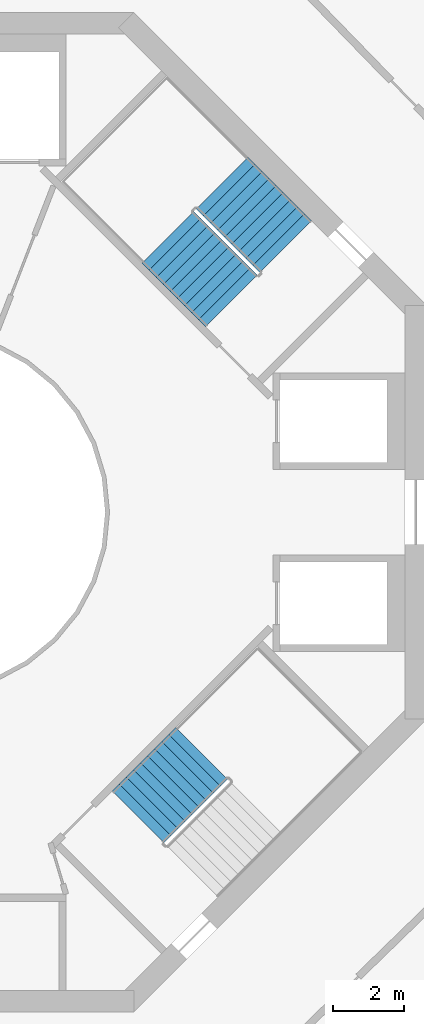
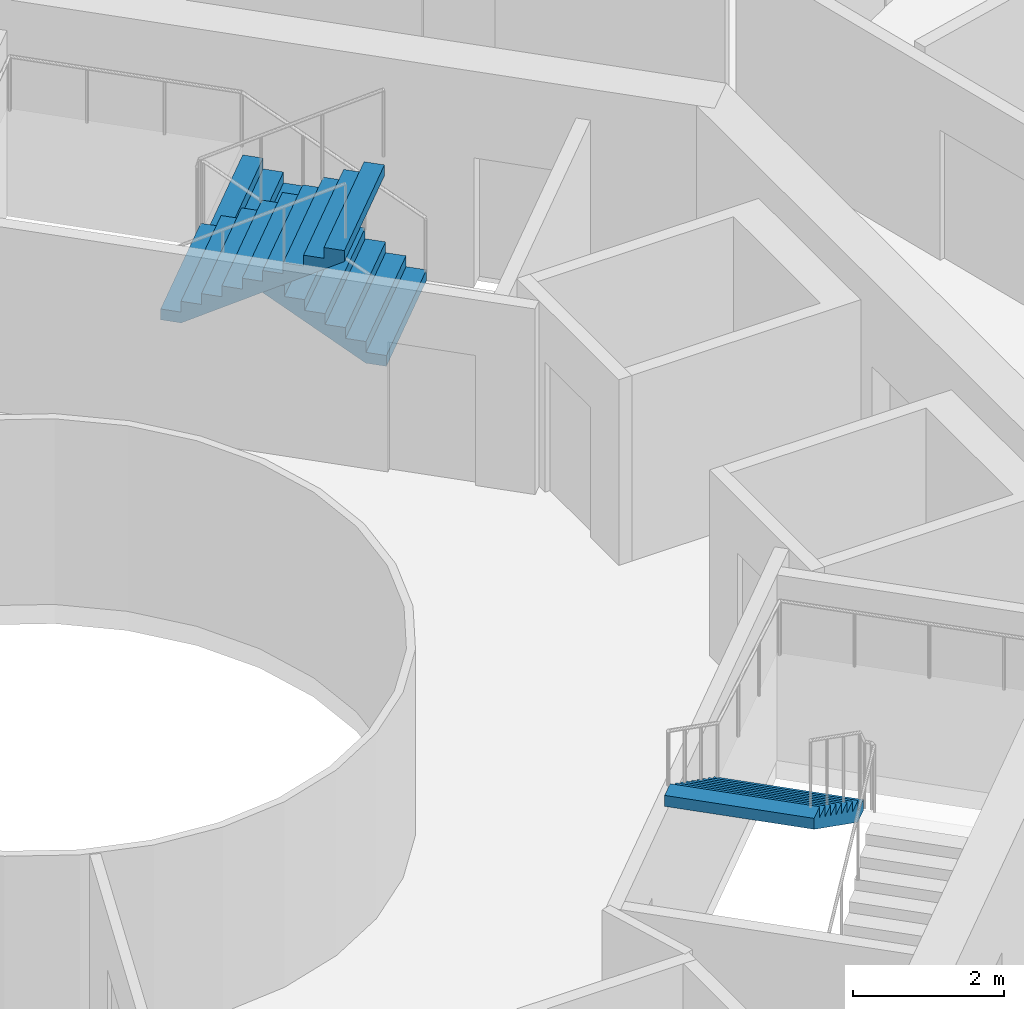
# One storey, part 23 of 24: 3 stair flights, 2 elements without a shape of their own.
"""IFC4 building model written with IfcOpenShell, lengths in metres."""

from ifc_helpers import new_model, si_unit, direction, frame, origin, place, context, subcontext, project, spatial, triangles, material, type_object, element, aggregate, save


model = new_model("IFC4")

# Units and contexts
model_context = context("Model", 3, precision=1e-05, world=origin(), true_north=direction((0.0, 1.0)))
body_context = subcontext(model_context, "Body", "Model", "MODEL_VIEW")
ifc_project = project(units=[si_unit("LENGTHUNIT", "METRE"), si_unit("AREAUNIT", "SQUARE_METRE"), si_unit("VOLUMEUNIT", "CUBIC_METRE"), si_unit("PLANEANGLEUNIT", "RADIAN"), si_unit("MASSUNIT", "GRAM", prefix="KILO")], contexts=[model_context])

# Site, building, storey
site_placement = place(None, origin())
site = spatial("IfcSite", under=ifc_project, at=site_placement, CompositionType="ELEMENT")
building_placement = place(site_placement, origin())
building = spatial("IfcBuilding", under=site, at=building_placement, Name="Verdalira Terraces Hotel", CompositionType="ELEMENT")
storey_placement = place(building_placement, frame((0.0, 0.0, 212.5)))
storey = spatial("IfcBuildingStorey", under=building, at=storey_placement, Name="L52", CompositionType="ELEMENT", Elevation=212.5)

# Stair, stair flights
ifc_material_1 = material(Name="Concrete C40", Category="concrete")
stair_type = type_object("IfcStairType", Name="Core stair 20 risers 2050 mm wide", PredefinedType="HALF_TURN_STAIR", material=ifc_material_1)
stair_1_placement = place(storey_placement, origin())
stair_1 = element("IfcStair", 1, at=stair_1_placement, inside=storey, type_object=stair_type, Name="L52 Exit stair ST1", PredefinedType="HALF_TURN_STAIR")
ifc_material_2 = material(Name="Concrete C40", Category="concrete")
stair_flight_type = type_object("IfcStairFlightType", Name="Core stair flight 20 risers 2050 mm wide", PredefinedType="STRAIGHT", material=ifc_material_2)
stair_flight_1_placement = place(storey_placement, frame((10.058594, 7.442383, 0.0), z_axis=(0.0, 0.0, 1.0), x_axis=(-0.707106781, 0.707106781, 0.0)))
stair_flight_1 = element("IfcStairFlight", 2, at=stair_flight_1_placement, type_object=stair_flight_type, Name="ST1 flight 1", NumberOfRisers=10, NumberOfTreads=9, PredefinedType="STRAIGHT", RiserHeight=0.175, TreadLength=0.28, context=body_context, shape_type="Tessellation", body=[
    triangles([(0.0, 1.025024, 0.0), (0.282715, 1.025024, 0.0), (2.52002, 1.025024, 1.398193), (0.0, -1.025024, 0.0), (0.282715, -1.025024, 0.0), (2.52002, -1.025024, 1.398193), (2.52002, 1.025024, 1.574951), (2.23999, 1.025024, 1.574951), (2.52002, -1.025024, 1.574951), (2.23999, -1.025024, 1.574951), (2.23999, 1.025024, 1.399902), (2.23999, -1.025024, 1.399902), (1.959961, 1.025024, 1.399902), (1.959961, -1.025024, 1.399902), (1.959961, 1.025024, 1.225098), (1.959961, -1.025024, 1.225098), (1.679932, 1.025024, 1.225098), (1.679932, 1.025024, 1.050049), (1.679932, -1.025024, 1.225098), (1.679932, -1.025024, 1.050049), (1.399902, 1.025024, 1.050049), (1.399902, 1.025024, 0.875), (1.399902, -1.025024, 1.050049), (1.399902, -1.025024, 0.875), (1.120117, 1.025024, 0.875), (1.120117, 1.025024, 0.699951), (1.120117, -1.025024, 0.875), (1.120117, -1.025024, 0.699951), (0.840088, 1.025024, 0.699951), (0.840088, 1.025024, 0.524902), (0.840088, -1.025024, 0.699951), (0.840088, -1.025024, 0.524902), (0.560059, 1.025024, 0.524902), (0.560059, 1.025024, 0.350098), (0.560059, -1.025024, 0.524902), (0.560059, -1.025024, 0.350098), (0.280029, 1.025024, 0.350098), (0.280029, 1.025024, 0.175049), (0.280029, -1.025024, 0.350098), (0.280029, -1.025024, 0.175049), (0.0, 1.025024, 0.175049), (0.0, -1.025024, 0.175049), (0.0, -0.96096, 0.0), (0.0, -0.96096, 0.175049), (0.0, -0.896896, 0.0), (0.0, -0.896896, 0.175049), (0.0, -0.832832, 0.0), (0.0, -0.832832, 0.175049), (0.0, -0.768768, 0.0), (0.0, -0.768768, 0.175049), (0.0, -0.704704, 0.0), (0.0, -0.704704, 0.175049), (0.0, -0.64064, 0.0), (0.0, -0.64064, 0.175049), (0.0, -0.576576, 0.0), (0.0, -0.576576, 0.175049), (0.0, -0.512512, 0.0), (0.0, -0.512512, 0.175049), (0.0, -0.448448, 0.0), (0.0, -0.448448, 0.175049), (0.0, -0.384384, 0.0), (0.0, -0.384384, 0.175049), (0.0, -0.32032, 0.0), (0.0, -0.32032, 0.175049), (0.0, -0.256256, 0.0), (0.0, -0.256256, 0.175049), (0.0, -0.192192, 0.0), (0.0, -0.192192, 0.175049), (0.0, -0.128128, 0.0), (0.0, -0.128128, 0.175049), (0.0, -0.064064, 0.0), (0.0, -0.064064, 0.175049), (0.0, 0.0, 0.0), (0.0, 0.0, 0.175049), (0.0, 0.064064, 0.0), (0.0, 0.064064, 0.175049), (0.0, 0.128128, 0.0), (0.0, 0.128128, 0.175049), (0.0, 0.192192, 0.0), (0.0, 0.192192, 0.175049), (0.0, 0.256256, 0.0), (0.0, 0.256256, 0.175049), (0.0, 0.32032, 0.0), (0.0, 0.32032, 0.175049), (0.0, 0.384384, 0.0), (0.0, 0.384384, 0.175049), (0.0, 0.448448, 0.0), (0.0, 0.448448, 0.175049), (0.0, 0.512512, 0.0), (0.0, 0.512512, 0.175049), (0.0, 0.576576, 0.0), (0.0, 0.576576, 0.175049), (0.0, 0.64064, 0.0), (0.0, 0.64064, 0.175049), (0.0, 0.704704, 0.0), (0.0, 0.704704, 0.175049), (0.0, 0.768768, 0.0), (0.0, 0.768768, 0.175049), (0.0, 0.832832, 0.0), (0.0, 0.832832, 0.175049), (0.0, 0.896896, 0.0), (0.0, 0.896896, 0.175049), (0.0, 0.96096, 0.0), (0.0, 0.96096, 0.175049), (2.52002, -0.96096, 1.574951), (2.52002, -0.896896, 1.574951), (2.52002, -0.832832, 1.574951), (2.52002, -0.768768, 1.574951), (2.52002, -0.704704, 1.574951), (2.52002, -0.64064, 1.574951), (2.52002, -0.576576, 1.574951), (2.52002, -0.512512, 1.574951), (2.52002, -0.448448, 1.574951), (2.52002, -0.384384, 1.574951), (2.52002, -0.32032, 1.574951), (2.52002, -0.256256, 1.574951), (2.52002, -0.192192, 1.574951), (2.52002, -0.128128, 1.574951), (2.52002, -0.064064, 1.574951), (2.52002, 0.0, 1.574951), (2.52002, 0.064064, 1.574951), (2.52002, 0.128128, 1.574951), (2.52002, 0.192192, 1.574951), (2.52002, 0.256256, 1.574951), (2.52002, 0.32032, 1.574951), (2.52002, 0.384384, 1.574951), (2.52002, 0.448448, 1.574951), (2.52002, 0.512512, 1.574951), (2.52002, 0.576576, 1.574951), (2.52002, 0.64064, 1.574951), (2.52002, 0.704704, 1.574951), (2.52002, 0.768768, 1.574951), (2.52002, 0.832832, 1.574951), (2.52002, 0.896896, 1.574951), (2.52002, 0.96096, 1.574951), (2.52002, -0.96096, 1.398193), (2.52002, -0.896896, 1.398193), (2.52002, -0.832832, 1.398193), (2.52002, -0.768768, 1.398193), (2.52002, -0.704704, 1.398193), (2.52002, -0.64064, 1.398193), (2.52002, -0.576576, 1.398193), (2.52002, -0.512512, 1.398193), (2.52002, -0.448448, 1.398193), (2.52002, -0.384384, 1.398193), (2.52002, -0.32032, 1.398193), (2.52002, -0.256256, 1.398193), (2.52002, -0.192192, 1.398193), (2.52002, -0.128128, 1.398193), (2.52002, -0.064064, 1.398193), (2.52002, 0.0, 1.398193), (2.52002, 0.064064, 1.398193), (2.52002, 0.128128, 1.398193), (2.52002, 0.192192, 1.398193), (2.52002, 0.256256, 1.398193), (2.52002, 0.32032, 1.398193), (2.52002, 0.384384, 1.398193), (2.52002, 0.448448, 1.398193), (2.52002, 0.512512, 1.398193), (2.52002, 0.576576, 1.398193), (2.52002, 0.64064, 1.398193), (2.52002, 0.704704, 1.398193), (2.52002, 0.768768, 1.398193), (2.52002, 0.832832, 1.398193), (2.52002, 0.896896, 1.398193), (2.52002, 0.96096, 1.398193)], [[1, 3, 2], [4, 5, 6], [3, 8, 7], [6, 9, 10], [3, 11, 8], [6, 10, 12], [3, 13, 11], [6, 12, 14], [3, 15, 13], [6, 14, 16], [15, 18, 17], [16, 19, 20], [3, 18, 15], [6, 16, 20], [18, 22, 21], [20, 23, 24], [3, 22, 18], [6, 20, 24], [22, 26, 25], [24, 27, 28], [3, 26, 22], [6, 24, 28], [26, 30, 29], [28, 31, 32], [3, 30, 26], [6, 28, 32], [1, 30, 3], [4, 6, 32], [30, 34, 33], [32, 35, 36], [34, 38, 37], [36, 39, 40], [30, 38, 34], [32, 36, 40], [1, 38, 30], [4, 32, 40], [38, 1, 41], [40, 42, 4], [4, 44, 43], [4, 42, 44], [43, 46, 45], [43, 44, 46], [45, 48, 47], [45, 46, 48], [47, 50, 49], [47, 48, 50], [49, 52, 51], [49, 50, 52], [51, 54, 53], [51, 52, 54], [53, 56, 55], [53, 54, 56], [55, 58, 57], [55, 56, 58], [57, 60, 59], [57, 58, 60], [59, 62, 61], [59, 60, 62], [61, 64, 63], [61, 62, 64], [63, 66, 65], [63, 64, 66], [65, 68, 67], [65, 66, 68], [67, 70, 69], [67, 68, 70], [69, 72, 71], [69, 70, 72], [71, 74, 73], [71, 72, 74], [73, 76, 75], [73, 74, 76], [75, 78, 77], [75, 76, 78], [77, 80, 79], [77, 78, 80], [79, 82, 81], [79, 80, 82], [81, 84, 83], [81, 82, 84], [83, 86, 85], [83, 84, 86], [85, 88, 87], [85, 86, 88], [87, 90, 89], [87, 88, 90], [89, 92, 91], [89, 90, 92], [91, 94, 93], [91, 92, 94], [93, 96, 95], [93, 94, 96], [95, 98, 97], [95, 96, 98], [97, 100, 99], [97, 98, 100], [99, 102, 101], [99, 100, 102], [101, 104, 103], [101, 102, 104], [103, 41, 1], [103, 104, 41], [42, 40, 44], [44, 40, 46], [46, 40, 48], [48, 40, 50], [50, 40, 52], [52, 40, 54], [54, 40, 56], [56, 40, 58], [58, 40, 60], [60, 40, 62], [62, 40, 64], [64, 40, 66], [66, 40, 68], [68, 40, 70], [70, 40, 72], [72, 40, 74], [74, 40, 76], [76, 40, 78], [78, 40, 80], [80, 40, 82], [82, 40, 84], [84, 40, 86], [86, 40, 88], [88, 40, 90], [90, 40, 92], [92, 40, 94], [94, 40, 96], [96, 40, 98], [98, 40, 100], [100, 40, 102], [102, 40, 104], [104, 40, 41], [41, 40, 38], [40, 37, 38], [40, 39, 37], [39, 34, 37], [39, 36, 34], [36, 33, 34], [36, 35, 33], [35, 30, 33], [35, 32, 30], [32, 29, 30], [32, 31, 29], [31, 26, 29], [31, 28, 26], [28, 25, 26], [28, 27, 25], [27, 22, 25], [27, 24, 22], [24, 21, 22], [24, 23, 21], [23, 18, 21], [23, 20, 18], [20, 17, 18], [20, 19, 17], [19, 15, 17], [19, 16, 15], [16, 13, 15], [16, 14, 13], [14, 11, 13], [14, 12, 11], [12, 8, 11], [12, 10, 8], [9, 105, 10], [105, 106, 10], [106, 107, 10], [107, 108, 10], [108, 109, 10], [109, 110, 10], [110, 111, 10], [111, 112, 10], [112, 113, 10], [113, 114, 10], [114, 115, 10], [115, 116, 10], [116, 117, 10], [117, 118, 10], [118, 119, 10], [119, 120, 10], [120, 121, 10], [121, 122, 10], [122, 123, 10], [123, 124, 10], [124, 125, 10], [125, 126, 10], [126, 127, 10], [127, 128, 10], [128, 129, 10], [129, 130, 10], [130, 131, 10], [131, 132, 10], [132, 133, 10], [133, 134, 10], [134, 135, 10], [135, 7, 10], [7, 8, 10], [9, 136, 105], [9, 6, 136], [105, 137, 106], [105, 136, 137], [106, 138, 107], [106, 137, 138], [107, 139, 108], [107, 138, 139], [108, 140, 109], [108, 139, 140], [109, 141, 110], [109, 140, 141], [110, 142, 111], [110, 141, 142], [111, 143, 112], [111, 142, 143], [112, 144, 113], [112, 143, 144], [113, 145, 114], [113, 144, 145], [114, 146, 115], [114, 145, 146], [115, 147, 116], [115, 146, 147], [116, 148, 117], [116, 147, 148], [117, 149, 118], [117, 148, 149], [118, 150, 119], [118, 149, 150], [119, 151, 120], [119, 150, 151], [120, 152, 121], [120, 151, 152], [121, 153, 122], [121, 152, 153], [122, 154, 123], [122, 153, 154], [123, 155, 124], [123, 154, 155], [124, 156, 125], [124, 155, 156], [125, 157, 126], [125, 156, 157], [126, 158, 127], [126, 157, 158], [127, 159, 128], [127, 158, 159], [128, 160, 129], [128, 159, 160], [129, 161, 130], [129, 160, 161], [130, 162, 131], [130, 161, 162], [131, 163, 132], [131, 162, 163], [132, 164, 133], [132, 163, 164], [133, 165, 134], [133, 164, 165], [134, 166, 135], [134, 165, 166], [135, 3, 7], [135, 166, 3], [6, 5, 136], [136, 5, 137], [137, 5, 138], [138, 5, 139], [139, 5, 140], [140, 5, 141], [141, 5, 142], [142, 5, 143], [143, 5, 144], [144, 5, 145], [145, 5, 146], [146, 5, 147], [147, 5, 148], [148, 5, 149], [149, 5, 150], [150, 5, 151], [151, 5, 152], [152, 5, 153], [153, 5, 154], [154, 5, 155], [155, 5, 156], [156, 5, 157], [157, 5, 158], [158, 5, 159], [159, 5, 160], [160, 5, 161], [161, 5, 162], [162, 5, 163], [163, 5, 164], [164, 5, 165], [165, 5, 166], [166, 5, 3], [3, 5, 2], [4, 43, 5], [43, 45, 5], [45, 47, 5], [47, 49, 5], [49, 51, 5], [51, 53, 5], [53, 55, 5], [55, 57, 5], [57, 59, 5], [59, 61, 5], [61, 63, 5], [63, 65, 5], [65, 67, 5], [67, 69, 5], [69, 71, 5], [71, 73, 5], [73, 75, 5], [75, 77, 5], [77, 79, 5], [79, 81, 5], [81, 83, 5], [83, 85, 5], [85, 87, 5], [87, 89, 5], [89, 91, 5], [91, 93, 5], [93, 95, 5], [95, 97, 5], [97, 99, 5], [99, 101, 5], [101, 103, 5], [103, 1, 5], [1, 2, 5]], closed=True),
])
stair_flight_2_placement = place(storey_placement, frame((6.756348, 7.703857, 1.75), z_axis=(0.0, 0.0, 1.0), x_axis=(0.707106781, -0.707106781, 0.0)))
stair_flight_2 = element("IfcStairFlight", 3, at=stair_flight_2_placement, type_object=stair_flight_type, Name="ST1 flight 2", NumberOfRisers=10, NumberOfTreads=9, PredefinedType="STRAIGHT", RiserHeight=0.175, TreadLength=0.28, context=body_context, shape_type="Tessellation", body=[
    triangles([(0.0, 1.025024, 0.0), (0.282715, 1.025024, 0.0), (2.52002, 1.025024, 1.398193), (0.0, -1.025024, 0.0), (0.282715, -1.025024, 0.0), (2.52002, -1.025024, 1.398193), (2.52002, 1.025024, 1.574951), (2.23999, 1.025024, 1.574951), (2.52002, -1.025024, 1.574951), (2.23999, -1.025024, 1.574951), (2.23999, 1.025024, 1.399902), (2.23999, -1.025024, 1.399902), (1.959961, 1.025024, 1.399902), (1.959961, -1.025024, 1.399902), (1.959961, 1.025024, 1.225098), (1.959961, -1.025024, 1.225098), (1.679932, 1.025024, 1.225098), (1.679932, 1.025024, 1.050049), (1.679932, -1.025024, 1.225098), (1.679932, -1.025024, 1.050049), (1.399902, 1.025024, 1.050049), (1.399902, 1.025024, 0.875), (1.399902, -1.025024, 1.050049), (1.399902, -1.025024, 0.875), (1.120117, 1.025024, 0.875), (1.120117, 1.025024, 0.699951), (1.120117, -1.025024, 0.875), (1.120117, -1.025024, 0.699951), (0.840088, 1.025024, 0.699951), (0.840088, 1.025024, 0.524902), (0.840088, -1.025024, 0.699951), (0.840088, -1.025024, 0.524902), (0.560059, 1.025024, 0.524902), (0.560059, 1.025024, 0.350098), (0.560059, -1.025024, 0.524902), (0.560059, -1.025024, 0.350098), (0.280029, 1.025024, 0.350098), (0.280029, 1.025024, 0.175049), (0.280029, -1.025024, 0.350098), (0.280029, -1.025024, 0.175049), (0.0, 1.025024, 0.175049), (0.0, -1.025024, 0.175049), (0.0, -0.96096, 0.0), (0.0, -0.96096, 0.175049), (0.0, -0.896896, 0.0), (0.0, -0.896896, 0.175049), (0.0, -0.832832, 0.0), (0.0, -0.832832, 0.175049), (0.0, -0.768768, 0.0), (0.0, -0.768768, 0.175049), (0.0, -0.704704, 0.0), (0.0, -0.704704, 0.175049), (0.0, -0.64064, 0.0), (0.0, -0.64064, 0.175049), (0.0, -0.576576, 0.0), (0.0, -0.576576, 0.175049), (0.0, -0.512512, 0.0), (0.0, -0.512512, 0.175049), (0.0, -0.448448, 0.0), (0.0, -0.448448, 0.175049), (0.0, -0.384384, 0.0), (0.0, -0.384384, 0.175049), (0.0, -0.32032, 0.0), (0.0, -0.32032, 0.175049), (0.0, -0.256256, 0.0), (0.0, -0.256256, 0.175049), (0.0, -0.192192, 0.0), (0.0, -0.192192, 0.175049), (0.0, -0.128128, 0.0), (0.0, -0.128128, 0.175049), (0.0, -0.064064, 0.0), (0.0, -0.064064, 0.175049), (0.0, 0.0, 0.0), (0.0, 0.0, 0.175049), (0.0, 0.064064, 0.0), (0.0, 0.064064, 0.175049), (0.0, 0.128128, 0.0), (0.0, 0.128128, 0.175049), (0.0, 0.192192, 0.0), (0.0, 0.192192, 0.175049), (0.0, 0.256256, 0.0), (0.0, 0.256256, 0.175049), (0.0, 0.32032, 0.0), (0.0, 0.32032, 0.175049), (0.0, 0.384384, 0.0), (0.0, 0.384384, 0.175049), (0.0, 0.448448, 0.0), (0.0, 0.448448, 0.175049), (0.0, 0.512512, 0.0), (0.0, 0.512512, 0.175049), (0.0, 0.576576, 0.0), (0.0, 0.576576, 0.175049), (0.0, 0.64064, 0.0), (0.0, 0.64064, 0.175049), (0.0, 0.704704, 0.0), (0.0, 0.704704, 0.175049), (0.0, 0.768768, 0.0), (0.0, 0.768768, 0.175049), (0.0, 0.832832, 0.0), (0.0, 0.832832, 0.175049), (0.0, 0.896896, 0.0), (0.0, 0.896896, 0.175049), (0.0, 0.96096, 0.0), (0.0, 0.96096, 0.175049), (2.52002, -0.96096, 1.574951), (2.52002, -0.896896, 1.574951), (2.52002, -0.832832, 1.574951), (2.52002, -0.768768, 1.574951), (2.52002, -0.704704, 1.574951), (2.52002, -0.64064, 1.574951), (2.52002, -0.576576, 1.574951), (2.52002, -0.512512, 1.574951), (2.52002, -0.448448, 1.574951), (2.52002, -0.384384, 1.574951), (2.52002, -0.32032, 1.574951), (2.52002, -0.256256, 1.574951), (2.52002, -0.192192, 1.574951), (2.52002, -0.128128, 1.574951), (2.52002, -0.064064, 1.574951), (2.52002, 0.0, 1.574951), (2.52002, 0.064064, 1.574951), (2.52002, 0.128128, 1.574951), (2.52002, 0.192192, 1.574951), (2.52002, 0.256256, 1.574951), (2.52002, 0.32032, 1.574951), (2.52002, 0.384384, 1.574951), (2.52002, 0.448448, 1.574951), (2.52002, 0.512512, 1.574951), (2.52002, 0.576576, 1.574951), (2.52002, 0.64064, 1.574951), (2.52002, 0.704704, 1.574951), (2.52002, 0.768768, 1.574951), (2.52002, 0.832832, 1.574951), (2.52002, 0.896896, 1.574951), (2.52002, 0.96096, 1.574951), (2.52002, -0.96096, 1.398193), (2.52002, -0.896896, 1.398193), (2.52002, -0.832832, 1.398193), (2.52002, -0.768768, 1.398193), (2.52002, -0.704704, 1.398193), (2.52002, -0.64064, 1.398193), (2.52002, -0.576576, 1.398193), (2.52002, -0.512512, 1.398193), (2.52002, -0.448448, 1.398193), (2.52002, -0.384384, 1.398193), (2.52002, -0.32032, 1.398193), (2.52002, -0.256256, 1.398193), (2.52002, -0.192192, 1.398193), (2.52002, -0.128128, 1.398193), (2.52002, -0.064064, 1.398193), (2.52002, 0.0, 1.398193), (2.52002, 0.064064, 1.398193), (2.52002, 0.128128, 1.398193), (2.52002, 0.192192, 1.398193), (2.52002, 0.256256, 1.398193), (2.52002, 0.32032, 1.398193), (2.52002, 0.384384, 1.398193), (2.52002, 0.448448, 1.398193), (2.52002, 0.512512, 1.398193), (2.52002, 0.576576, 1.398193), (2.52002, 0.64064, 1.398193), (2.52002, 0.704704, 1.398193), (2.52002, 0.768768, 1.398193), (2.52002, 0.832832, 1.398193), (2.52002, 0.896896, 1.398193), (2.52002, 0.96096, 1.398193)], [[1, 3, 2], [4, 5, 6], [3, 8, 7], [6, 9, 10], [3, 11, 8], [6, 10, 12], [3, 13, 11], [6, 12, 14], [3, 15, 13], [6, 14, 16], [15, 18, 17], [16, 19, 20], [3, 18, 15], [6, 16, 20], [18, 22, 21], [20, 23, 24], [3, 22, 18], [6, 20, 24], [22, 26, 25], [24, 27, 28], [3, 26, 22], [6, 24, 28], [26, 30, 29], [28, 31, 32], [3, 30, 26], [6, 28, 32], [1, 30, 3], [4, 6, 32], [30, 34, 33], [32, 35, 36], [34, 38, 37], [36, 39, 40], [30, 38, 34], [32, 36, 40], [1, 38, 30], [4, 32, 40], [38, 1, 41], [40, 42, 4], [4, 44, 43], [4, 42, 44], [43, 46, 45], [43, 44, 46], [45, 48, 47], [45, 46, 48], [47, 50, 49], [47, 48, 50], [49, 52, 51], [49, 50, 52], [51, 54, 53], [51, 52, 54], [53, 56, 55], [53, 54, 56], [55, 58, 57], [55, 56, 58], [57, 60, 59], [57, 58, 60], [59, 62, 61], [59, 60, 62], [61, 64, 63], [61, 62, 64], [63, 66, 65], [63, 64, 66], [65, 68, 67], [65, 66, 68], [67, 70, 69], [67, 68, 70], [69, 72, 71], [69, 70, 72], [71, 74, 73], [71, 72, 74], [73, 76, 75], [73, 74, 76], [75, 78, 77], [75, 76, 78], [77, 80, 79], [77, 78, 80], [79, 82, 81], [79, 80, 82], [81, 84, 83], [81, 82, 84], [83, 86, 85], [83, 84, 86], [85, 88, 87], [85, 86, 88], [87, 90, 89], [87, 88, 90], [89, 92, 91], [89, 90, 92], [91, 94, 93], [91, 92, 94], [93, 96, 95], [93, 94, 96], [95, 98, 97], [95, 96, 98], [97, 100, 99], [97, 98, 100], [99, 102, 101], [99, 100, 102], [101, 104, 103], [101, 102, 104], [103, 41, 1], [103, 104, 41], [42, 40, 44], [44, 40, 46], [46, 40, 48], [48, 40, 50], [50, 40, 52], [52, 40, 54], [54, 40, 56], [56, 40, 58], [58, 40, 60], [60, 40, 62], [62, 40, 64], [64, 40, 66], [66, 40, 68], [68, 40, 70], [70, 40, 72], [72, 40, 74], [74, 40, 76], [76, 40, 78], [78, 40, 80], [80, 40, 82], [82, 40, 84], [84, 40, 86], [86, 40, 88], [88, 40, 90], [90, 40, 92], [92, 40, 94], [94, 40, 96], [96, 40, 98], [98, 40, 100], [100, 40, 102], [102, 40, 104], [104, 40, 41], [41, 40, 38], [40, 37, 38], [40, 39, 37], [39, 34, 37], [39, 36, 34], [36, 33, 34], [36, 35, 33], [35, 30, 33], [35, 32, 30], [32, 29, 30], [32, 31, 29], [31, 26, 29], [31, 28, 26], [28, 25, 26], [28, 27, 25], [27, 22, 25], [27, 24, 22], [24, 21, 22], [24, 23, 21], [23, 18, 21], [23, 20, 18], [20, 17, 18], [20, 19, 17], [19, 15, 17], [19, 16, 15], [16, 13, 15], [16, 14, 13], [14, 11, 13], [14, 12, 11], [12, 8, 11], [12, 10, 8], [9, 105, 10], [105, 106, 10], [106, 107, 10], [107, 108, 10], [108, 109, 10], [109, 110, 10], [110, 111, 10], [111, 112, 10], [112, 113, 10], [113, 114, 10], [114, 115, 10], [115, 116, 10], [116, 117, 10], [117, 118, 10], [118, 119, 10], [119, 120, 10], [120, 121, 10], [121, 122, 10], [122, 123, 10], [123, 124, 10], [124, 125, 10], [125, 126, 10], [126, 127, 10], [127, 128, 10], [128, 129, 10], [129, 130, 10], [130, 131, 10], [131, 132, 10], [132, 133, 10], [133, 134, 10], [134, 135, 10], [135, 7, 10], [7, 8, 10], [9, 136, 105], [9, 6, 136], [105, 137, 106], [105, 136, 137], [106, 138, 107], [106, 137, 138], [107, 139, 108], [107, 138, 139], [108, 140, 109], [108, 139, 140], [109, 141, 110], [109, 140, 141], [110, 142, 111], [110, 141, 142], [111, 143, 112], [111, 142, 143], [112, 144, 113], [112, 143, 144], [113, 145, 114], [113, 144, 145], [114, 146, 115], [114, 145, 146], [115, 147, 116], [115, 146, 147], [116, 148, 117], [116, 147, 148], [117, 149, 118], [117, 148, 149], [118, 150, 119], [118, 149, 150], [119, 151, 120], [119, 150, 151], [120, 152, 121], [120, 151, 152], [121, 153, 122], [121, 152, 153], [122, 154, 123], [122, 153, 154], [123, 155, 124], [123, 154, 155], [124, 156, 125], [124, 155, 156], [125, 157, 126], [125, 156, 157], [126, 158, 127], [126, 157, 158], [127, 159, 128], [127, 158, 159], [128, 160, 129], [128, 159, 160], [129, 161, 130], [129, 160, 161], [130, 162, 131], [130, 161, 162], [131, 163, 132], [131, 162, 163], [132, 164, 133], [132, 163, 164], [133, 165, 134], [133, 164, 165], [134, 166, 135], [134, 165, 166], [135, 3, 7], [135, 166, 3], [6, 5, 136], [136, 5, 137], [137, 5, 138], [138, 5, 139], [139, 5, 140], [140, 5, 141], [141, 5, 142], [142, 5, 143], [143, 5, 144], [144, 5, 145], [145, 5, 146], [146, 5, 147], [147, 5, 148], [148, 5, 149], [149, 5, 150], [150, 5, 151], [151, 5, 152], [152, 5, 153], [153, 5, 154], [154, 5, 155], [155, 5, 156], [156, 5, 157], [157, 5, 158], [158, 5, 159], [159, 5, 160], [160, 5, 161], [161, 5, 162], [162, 5, 163], [163, 5, 164], [164, 5, 165], [165, 5, 166], [166, 5, 3], [3, 5, 2], [4, 43, 5], [43, 45, 5], [45, 47, 5], [47, 49, 5], [49, 51, 5], [51, 53, 5], [53, 55, 5], [55, 57, 5], [57, 59, 5], [59, 61, 5], [61, 63, 5], [63, 65, 5], [65, 67, 5], [67, 69, 5], [69, 71, 5], [71, 73, 5], [73, 75, 5], [75, 77, 5], [77, 79, 5], [79, 81, 5], [81, 83, 5], [83, 85, 5], [85, 87, 5], [87, 89, 5], [89, 91, 5], [91, 93, 5], [93, 95, 5], [95, 97, 5], [97, 99, 5], [99, 101, 5], [101, 103, 5], [103, 1, 5], [1, 2, 5]], closed=True),
])
aggregate(stair_1, [stair_flight_1, stair_flight_2])

# Stair, stair flight
stair_2_placement = place(storey_placement, origin())
stair_2 = element("IfcStair", 4, at=stair_2_placement, inside=storey, type_object=stair_type, Name="L52 Exit stair ST3", PredefinedType="HALF_TURN_STAIR")
stair_flight_3_placement = place(storey_placement, frame((7.703857, -6.756348, 1.75), z_axis=(0.0, 0.0, 1.0), x_axis=(-0.707106781, -0.707106781, 0.0)))
stair_flight_3 = element("IfcStairFlight", 5, at=stair_flight_3_placement, type_object=stair_flight_type, Name="ST3 flight 2", NumberOfRisers=10, NumberOfTreads=9, PredefinedType="STRAIGHT", RiserHeight=0.175, TreadLength=0.28, context=body_context, shape_type="Tessellation", body=[
    triangles([(0.0, 1.025024, 0.0), (0.282715, 1.025024, 0.0), (2.52002, 1.025024, 1.398193), (0.0, -1.025024, 0.0), (0.282715, -1.025024, 0.0), (2.52002, -1.025024, 1.398193), (2.52002, 1.025024, 1.574951), (2.23999, 1.025024, 1.574951), (2.52002, -1.025024, 1.574951), (2.23999, -1.025024, 1.574951), (2.23999, 1.025024, 1.399902), (2.23999, -1.025024, 1.399902), (1.959961, 1.025024, 1.399902), (1.959961, -1.025024, 1.399902), (1.959961, 1.025024, 1.225098), (1.959961, -1.025024, 1.225098), (1.679932, 1.025024, 1.225098), (1.679932, 1.025024, 1.050049), (1.679932, -1.025024, 1.225098), (1.679932, -1.025024, 1.050049), (1.399902, 1.025024, 1.050049), (1.399902, 1.025024, 0.875), (1.399902, -1.025024, 1.050049), (1.399902, -1.025024, 0.875), (1.120117, 1.025024, 0.875), (1.120117, 1.025024, 0.699951), (1.120117, -1.025024, 0.875), (1.120117, -1.025024, 0.699951), (0.840088, 1.025024, 0.699951), (0.840088, 1.025024, 0.524902), (0.840088, -1.025024, 0.699951), (0.840088, -1.025024, 0.524902), (0.560059, 1.025024, 0.524902), (0.560059, 1.025024, 0.350098), (0.560059, -1.025024, 0.524902), (0.560059, -1.025024, 0.350098), (0.280029, 1.025024, 0.350098), (0.280029, 1.025024, 0.175049), (0.280029, -1.025024, 0.350098), (0.280029, -1.025024, 0.175049), (0.0, 1.025024, 0.175049), (0.0, -1.025024, 0.175049), (0.0, -0.96096, 0.0), (0.0, -0.96096, 0.175049), (0.0, -0.896896, 0.0), (0.0, -0.896896, 0.175049), (0.0, -0.832832, 0.0), (0.0, -0.832832, 0.175049), (0.0, -0.768768, 0.0), (0.0, -0.768768, 0.175049), (0.0, -0.704704, 0.0), (0.0, -0.704704, 0.175049), (0.0, -0.64064, 0.0), (0.0, -0.64064, 0.175049), (0.0, -0.576576, 0.0), (0.0, -0.576576, 0.175049), (0.0, -0.512512, 0.0), (0.0, -0.512512, 0.175049), (0.0, -0.448448, 0.0), (0.0, -0.448448, 0.175049), (0.0, -0.384384, 0.0), (0.0, -0.384384, 0.175049), (0.0, -0.32032, 0.0), (0.0, -0.32032, 0.175049), (0.0, -0.256256, 0.0), (0.0, -0.256256, 0.175049), (0.0, -0.192192, 0.0), (0.0, -0.192192, 0.175049), (0.0, -0.128128, 0.0), (0.0, -0.128128, 0.175049), (0.0, -0.064064, 0.0), (0.0, -0.064064, 0.175049), (0.0, 0.0, 0.0), (0.0, 0.0, 0.175049), (0.0, 0.064064, 0.0), (0.0, 0.064064, 0.175049), (0.0, 0.128128, 0.0), (0.0, 0.128128, 0.175049), (0.0, 0.192192, 0.0), (0.0, 0.192192, 0.175049), (0.0, 0.256256, 0.0), (0.0, 0.256256, 0.175049), (0.0, 0.32032, 0.0), (0.0, 0.32032, 0.175049), (0.0, 0.384384, 0.0), (0.0, 0.384384, 0.175049), (0.0, 0.448448, 0.0), (0.0, 0.448448, 0.175049), (0.0, 0.512512, 0.0), (0.0, 0.512512, 0.175049), (0.0, 0.576576, 0.0), (0.0, 0.576576, 0.175049), (0.0, 0.64064, 0.0), (0.0, 0.64064, 0.175049), (0.0, 0.704704, 0.0), (0.0, 0.704704, 0.175049), (0.0, 0.768768, 0.0), (0.0, 0.768768, 0.175049), (0.0, 0.832832, 0.0), (0.0, 0.832832, 0.175049), (0.0, 0.896896, 0.0), (0.0, 0.896896, 0.175049), (0.0, 0.96096, 0.0), (0.0, 0.96096, 0.175049), (2.52002, -0.96096, 1.574951), (2.52002, -0.896896, 1.574951), (2.52002, -0.832832, 1.574951), (2.52002, -0.768768, 1.574951), (2.52002, -0.704704, 1.574951), (2.52002, -0.64064, 1.574951), (2.52002, -0.576576, 1.574951), (2.52002, -0.512512, 1.574951), (2.52002, -0.448448, 1.574951), (2.52002, -0.384384, 1.574951), (2.52002, -0.32032, 1.574951), (2.52002, -0.256256, 1.574951), (2.52002, -0.192192, 1.574951), (2.52002, -0.128128, 1.574951), (2.52002, -0.064064, 1.574951), (2.52002, 0.0, 1.574951), (2.52002, 0.064064, 1.574951), (2.52002, 0.128128, 1.574951), (2.52002, 0.192192, 1.574951), (2.52002, 0.256256, 1.574951), (2.52002, 0.32032, 1.574951), (2.52002, 0.384384, 1.574951), (2.52002, 0.448448, 1.574951), (2.52002, 0.512512, 1.574951), (2.52002, 0.576576, 1.574951), (2.52002, 0.64064, 1.574951), (2.52002, 0.704704, 1.574951), (2.52002, 0.768768, 1.574951), (2.52002, 0.832832, 1.574951), (2.52002, 0.896896, 1.574951), (2.52002, 0.96096, 1.574951), (2.52002, -0.96096, 1.398193), (2.52002, -0.896896, 1.398193), (2.52002, -0.832832, 1.398193), (2.52002, -0.768768, 1.398193), (2.52002, -0.704704, 1.398193), (2.52002, -0.64064, 1.398193), (2.52002, -0.576576, 1.398193), (2.52002, -0.512512, 1.398193), (2.52002, -0.448448, 1.398193), (2.52002, -0.384384, 1.398193), (2.52002, -0.32032, 1.398193), (2.52002, -0.256256, 1.398193), (2.52002, -0.192192, 1.398193), (2.52002, -0.128128, 1.398193), (2.52002, -0.064064, 1.398193), (2.52002, 0.0, 1.398193), (2.52002, 0.064064, 1.398193), (2.52002, 0.128128, 1.398193), (2.52002, 0.192192, 1.398193), (2.52002, 0.256256, 1.398193), (2.52002, 0.32032, 1.398193), (2.52002, 0.384384, 1.398193), (2.52002, 0.448448, 1.398193), (2.52002, 0.512512, 1.398193), (2.52002, 0.576576, 1.398193), (2.52002, 0.64064, 1.398193), (2.52002, 0.704704, 1.398193), (2.52002, 0.768768, 1.398193), (2.52002, 0.832832, 1.398193), (2.52002, 0.896896, 1.398193), (2.52002, 0.96096, 1.398193)], [[1, 3, 2], [4, 5, 6], [3, 8, 7], [6, 9, 10], [3, 11, 8], [6, 10, 12], [3, 13, 11], [6, 12, 14], [3, 15, 13], [6, 14, 16], [15, 18, 17], [16, 19, 20], [3, 18, 15], [6, 16, 20], [18, 22, 21], [20, 23, 24], [3, 22, 18], [6, 20, 24], [22, 26, 25], [24, 27, 28], [3, 26, 22], [6, 24, 28], [26, 30, 29], [28, 31, 32], [3, 30, 26], [6, 28, 32], [1, 30, 3], [4, 6, 32], [30, 34, 33], [32, 35, 36], [34, 38, 37], [36, 39, 40], [30, 38, 34], [32, 36, 40], [1, 38, 30], [4, 32, 40], [38, 1, 41], [40, 42, 4], [4, 44, 43], [4, 42, 44], [43, 46, 45], [43, 44, 46], [45, 48, 47], [45, 46, 48], [47, 50, 49], [47, 48, 50], [49, 52, 51], [49, 50, 52], [51, 54, 53], [51, 52, 54], [53, 56, 55], [53, 54, 56], [55, 58, 57], [55, 56, 58], [57, 60, 59], [57, 58, 60], [59, 62, 61], [59, 60, 62], [61, 64, 63], [61, 62, 64], [63, 66, 65], [63, 64, 66], [65, 68, 67], [65, 66, 68], [67, 70, 69], [67, 68, 70], [69, 72, 71], [69, 70, 72], [71, 74, 73], [71, 72, 74], [73, 76, 75], [73, 74, 76], [75, 78, 77], [75, 76, 78], [77, 80, 79], [77, 78, 80], [79, 82, 81], [79, 80, 82], [81, 84, 83], [81, 82, 84], [83, 86, 85], [83, 84, 86], [85, 88, 87], [85, 86, 88], [87, 90, 89], [87, 88, 90], [89, 92, 91], [89, 90, 92], [91, 94, 93], [91, 92, 94], [93, 96, 95], [93, 94, 96], [95, 98, 97], [95, 96, 98], [97, 100, 99], [97, 98, 100], [99, 102, 101], [99, 100, 102], [101, 104, 103], [101, 102, 104], [103, 41, 1], [103, 104, 41], [42, 40, 44], [44, 40, 46], [46, 40, 48], [48, 40, 50], [50, 40, 52], [52, 40, 54], [54, 40, 56], [56, 40, 58], [58, 40, 60], [60, 40, 62], [62, 40, 64], [64, 40, 66], [66, 40, 68], [68, 40, 70], [70, 40, 72], [72, 40, 74], [74, 40, 76], [76, 40, 78], [78, 40, 80], [80, 40, 82], [82, 40, 84], [84, 40, 86], [86, 40, 88], [88, 40, 90], [90, 40, 92], [92, 40, 94], [94, 40, 96], [96, 40, 98], [98, 40, 100], [100, 40, 102], [102, 40, 104], [104, 40, 41], [41, 40, 38], [40, 37, 38], [40, 39, 37], [39, 34, 37], [39, 36, 34], [36, 33, 34], [36, 35, 33], [35, 30, 33], [35, 32, 30], [32, 29, 30], [32, 31, 29], [31, 26, 29], [31, 28, 26], [28, 25, 26], [28, 27, 25], [27, 22, 25], [27, 24, 22], [24, 21, 22], [24, 23, 21], [23, 18, 21], [23, 20, 18], [20, 17, 18], [20, 19, 17], [19, 15, 17], [19, 16, 15], [16, 13, 15], [16, 14, 13], [14, 11, 13], [14, 12, 11], [12, 8, 11], [12, 10, 8], [9, 105, 10], [105, 106, 10], [106, 107, 10], [107, 108, 10], [108, 109, 10], [109, 110, 10], [110, 111, 10], [111, 112, 10], [112, 113, 10], [113, 114, 10], [114, 115, 10], [115, 116, 10], [116, 117, 10], [117, 118, 10], [118, 119, 10], [119, 120, 10], [120, 121, 10], [121, 122, 10], [122, 123, 10], [123, 124, 10], [124, 125, 10], [125, 126, 10], [126, 127, 10], [127, 128, 10], [128, 129, 10], [129, 130, 10], [130, 131, 10], [131, 132, 10], [132, 133, 10], [133, 134, 10], [134, 135, 10], [135, 7, 10], [7, 8, 10], [9, 136, 105], [9, 6, 136], [105, 137, 106], [105, 136, 137], [106, 138, 107], [106, 137, 138], [107, 139, 108], [107, 138, 139], [108, 140, 109], [108, 139, 140], [109, 141, 110], [109, 140, 141], [110, 142, 111], [110, 141, 142], [111, 143, 112], [111, 142, 143], [112, 144, 113], [112, 143, 144], [113, 145, 114], [113, 144, 145], [114, 146, 115], [114, 145, 146], [115, 147, 116], [115, 146, 147], [116, 148, 117], [116, 147, 148], [117, 149, 118], [117, 148, 149], [118, 150, 119], [118, 149, 150], [119, 151, 120], [119, 150, 151], [120, 152, 121], [120, 151, 152], [121, 153, 122], [121, 152, 153], [122, 154, 123], [122, 153, 154], [123, 155, 124], [123, 154, 155], [124, 156, 125], [124, 155, 156], [125, 157, 126], [125, 156, 157], [126, 158, 127], [126, 157, 158], [127, 159, 128], [127, 158, 159], [128, 160, 129], [128, 159, 160], [129, 161, 130], [129, 160, 161], [130, 162, 131], [130, 161, 162], [131, 163, 132], [131, 162, 163], [132, 164, 133], [132, 163, 164], [133, 165, 134], [133, 164, 165], [134, 166, 135], [134, 165, 166], [135, 3, 7], [135, 166, 3], [6, 5, 136], [136, 5, 137], [137, 5, 138], [138, 5, 139], [139, 5, 140], [140, 5, 141], [141, 5, 142], [142, 5, 143], [143, 5, 144], [144, 5, 145], [145, 5, 146], [146, 5, 147], [147, 5, 148], [148, 5, 149], [149, 5, 150], [150, 5, 151], [151, 5, 152], [152, 5, 153], [153, 5, 154], [154, 5, 155], [155, 5, 156], [156, 5, 157], [157, 5, 158], [158, 5, 159], [159, 5, 160], [160, 5, 161], [161, 5, 162], [162, 5, 163], [163, 5, 164], [164, 5, 165], [165, 5, 166], [166, 5, 3], [3, 5, 2], [4, 43, 5], [43, 45, 5], [45, 47, 5], [47, 49, 5], [49, 51, 5], [51, 53, 5], [53, 55, 5], [55, 57, 5], [57, 59, 5], [59, 61, 5], [61, 63, 5], [63, 65, 5], [65, 67, 5], [67, 69, 5], [69, 71, 5], [71, 73, 5], [73, 75, 5], [75, 77, 5], [77, 79, 5], [79, 81, 5], [81, 83, 5], [83, 85, 5], [85, 87, 5], [87, 89, 5], [89, 91, 5], [91, 93, 5], [93, 95, 5], [95, 97, 5], [97, 99, 5], [99, 101, 5], [101, 103, 5], [103, 1, 5], [1, 2, 5]], closed=True),
])
aggregate(stair_2, [stair_flight_3])

save(model, "model.ifc")
